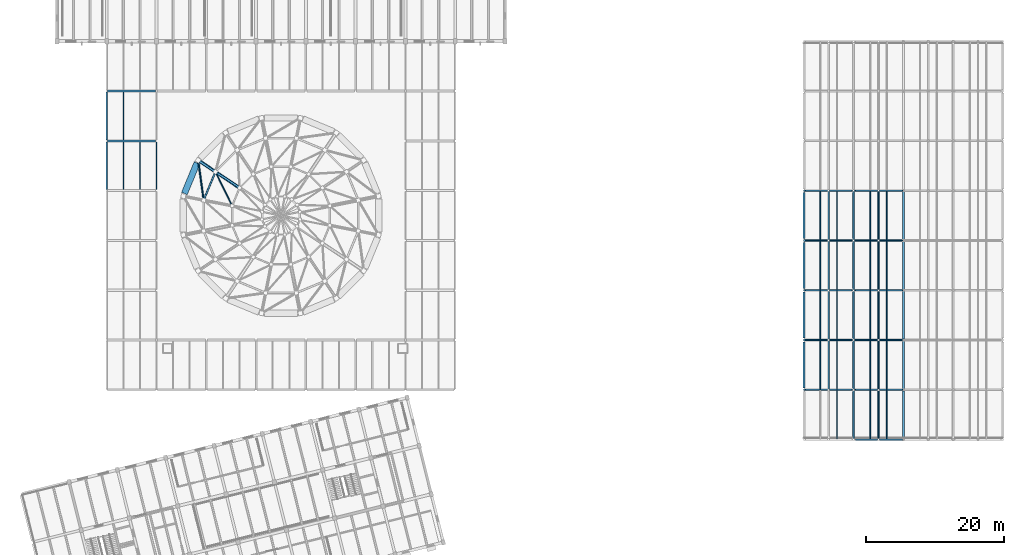
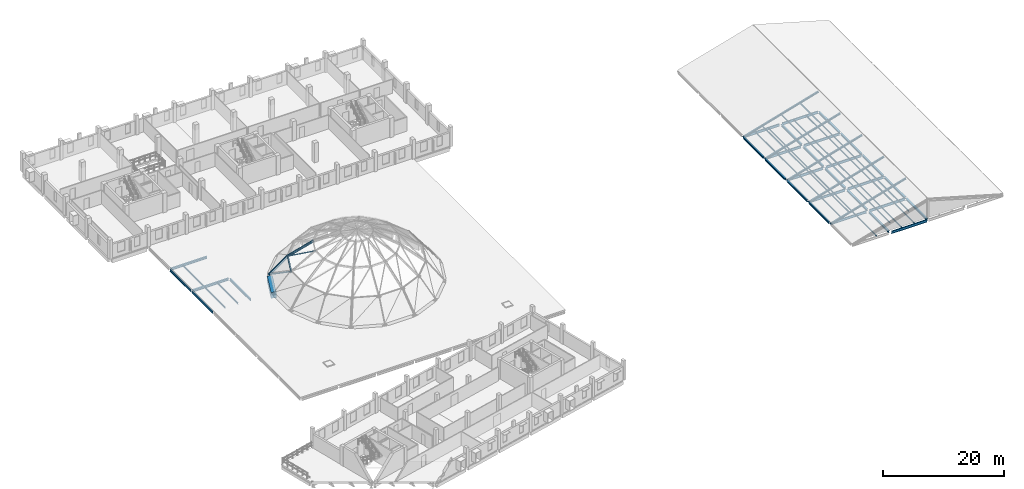
# One storey, part 9 of 32: 54 beams, 23 members.
"""IFC4 building model written with IfcOpenShell, lengths in metres."""

from ifc_helpers import new_model, si_unit, direction, frame, origin, origin_2d, place, context, subcontext, project, spatial, rectangle, hollow_rectangle, hollow_circle, i_section, extrude, material, material_profile, profile_set, type_object, element, save


model = new_model("IFC4")

# Units and contexts
model_context = context("Model", 3, precision=1e-05, world=origin(), true_north=direction((0.0, 1.0)))
body_context = subcontext(model_context, "Body", "Model", "MODEL_VIEW")
ifc_project = project(units=[si_unit("LENGTHUNIT", "METRE"), si_unit("AREAUNIT", "SQUARE_METRE"), si_unit("VOLUMEUNIT", "CUBIC_METRE"), si_unit("PLANEANGLEUNIT", "RADIAN"), si_unit("MASSUNIT", "GRAM", prefix="KILO")], contexts=[model_context])

# Site, building, storey
site_placement = place(None, origin())
site = spatial("IfcSite", under=ifc_project, at=site_placement, CompositionType="ELEMENT")
building_placement = place(site_placement, origin())
building = spatial("IfcBuilding", under=site, at=building_placement, Name="Qiaolan Assembly House", CompositionType="ELEMENT")
storey_placement = place(building_placement, frame((0.0, 0.0, 18.60009765625)))
storey = spatial("IfcBuildingStorey", under=building, at=storey_placement, Name="L04", CompositionType="ELEMENT", Elevation=18.60009765625)

# Beams
ifc_material_1 = material(Name="Steel Q355B", Category="steel")
ifc_material_profile_1 = material_profile(ifc_material_1, hollow_rectangle(XDim=0.25, YDim=0.39990234375, WallThickness=0.011962890625, InnerFilletRadius=0.011962890625, OuterFilletRadius=0.02392578125, at=origin_2d()), Name="RHS 400x250x12")
ifc_profile_set_1 = profile_set([ifc_material_profile_1], Name="Steel Q355B")
beam_type_1 = type_object("IfcBeamType", Name="BM-DOME-RING-RHS400", PredefinedType="BEAM", material=ifc_profile_set_1)
beam_1_placement = place(storey_placement, frame((58.951904296875, 67.607421875, 3.7998046875), z_axis=(-0.382680895379, -0.923880583361, 0.0), x_axis=(0.923880583361, -0.382680895379, 0.0)))
element("IfcBeam", 1, at=beam_1_placement, inside=storey, type_object=beam_type_1, Name="DB-01 dome circumferential steel ring T1-7", PredefinedType="BEAM", context=body_context, shape_type="SweptSolid", body=[
    extrude(hollow_rectangle(XDim=0.25, YDim=0.39990234375, WallThickness=0.011962890625, InnerFilletRadius=0.011962890625, OuterFilletRadius=0.02392578125, at=origin_2d()), origin(), (0.0, 0.0, 1.0), 4.608154296875),
])
ifc_material_2 = material(Name="Concrete C50/60", Category="concrete")
ifc_material_profile_2 = material_profile(ifc_material_2, rectangle(XDim=0.89990234375, YDim=1.199951171875, at=origin_2d()), Name="RCB 900x1200")
ifc_profile_set_2 = profile_set([ifc_material_profile_2], Name="Concrete C50/60")
beam_type_2 = type_object("IfcBeamType", Name="BM-RING-900x1200", PredefinedType="BEAM", material=ifc_profile_set_2)
beam_2_placement = place(storey_placement, frame((56.26806640625, 68.81689453125, -0.60009765625), z_axis=(-0.38268500057, -0.923878882938, 0.0), x_axis=(0.923878882938, -0.38268500057, 0.0)))
element("IfcBeam", 2, at=beam_2_placement, inside=storey, type_object=beam_type_2, Name="RB-01 beam BM-DOME-THRUST-RING-06", PredefinedType="BEAM", context=body_context, shape_type="SweptSolid", body=[
    extrude(rectangle(XDim=0.89990234375, YDim=1.199951171875, at=origin_2d()), origin(), (0.0, 0.0, 1.0), 4.78857421875),
])
ifc_material_profile_3 = material_profile(ifc_material_1, i_section(OverallWidth=0.300048828125, OverallDepth=0.389892578125, WebThickness=0.010009765625, FlangeThickness=0.01611328125, FilletRadius=0.01806640625, at=origin_2d()), Name="HM 390x300x10x16")
ifc_profile_set_3 = profile_set([ifc_material_profile_3], Name="Steel Q355B")
beam_type_3 = type_object("IfcBeamType", Name="BM-STL-HM390", PredefinedType="BEAM", material=ifc_profile_set_3)
beam_3_placement = place(storey_placement, frame((144.0, 36.264892578125, -0.295166015625), z_axis=(0.0, 1.0, 0.0), x_axis=(-1.0, 0.0, 0.0)))
element("IfcBeam", 3, at=beam_3_placement, inside=storey, type_object=beam_type_3, Name="SB-08 beam BMY-LBTIE-L04-00-01", PredefinedType="BEAM", context=body_context, shape_type="SweptSolid", body=[
    extrude(i_section(OverallWidth=0.300048828125, OverallDepth=0.389892578125, WebThickness=0.010009765625, FlangeThickness=0.01611328125, FilletRadius=0.01806640625, at=origin_2d()), origin(), (0.0, 0.0, 1.0), 6.670166015625),
])
for number, where, z_axis, x_axis, name in (
    (4, (144.0, 43.465087890625, -0.295166015625), (0.0, 1.0, 0.0), (-1.0, 0.0, 0.0), "SB-08 beam BMY-LBTIE-L04-00-02"),
    (5, (144.0, 50.6650390625, -0.295166015625), (0.0, 1.0, 0.0), (-1.0, 0.0, 0.0), "SB-08 beam BMY-LBTIE-L04-00-03"),
    (6, (144.0, 57.864990234375, -0.295166015625), (0.0, 1.0, 0.0), (-1.0, 0.0, 0.0), "SB-08 beam BMY-LBTIE-L04-00-04"),
):
    element("IfcBeam", number, at=place(storey_placement, frame(where, z_axis=z_axis, x_axis=x_axis)), inside=storey, type_object=beam_type_3, Name=name, PredefinedType="BEAM", context=body_context, shape_type="SweptSolid", body=[
        extrude(i_section(OverallWidth=0.300048828125, OverallDepth=0.389892578125, WebThickness=0.010009765625, FlangeThickness=0.01611328125, FilletRadius=0.01806640625, at=origin_2d()), origin(), (0.0, 0.0, 1.0), 6.669921875),
    ])
for number, where, z_axis, x_axis, name in (
    (7, (151.199951171875, 29.06494140625, -0.295166015625), (0.0, 1.0, 0.0), (-1.0, 0.0, 0.0), "SB-08 beam BMY-LBTIE-L04-01-00"),
    (8, (151.199951171875, 36.264892578125, -0.295166015625), (0.0, 1.0, 0.0), (-1.0, 0.0, 0.0), "SB-08 beam BMY-LBTIE-L04-01-01"),
):
    element("IfcBeam", number, at=place(storey_placement, frame(where, z_axis=z_axis, x_axis=x_axis)), inside=storey, type_object=beam_type_3, Name=name, PredefinedType="BEAM", context=body_context, shape_type="SweptSolid", body=[
        extrude(i_section(OverallWidth=0.300048828125, OverallDepth=0.389892578125, WebThickness=0.010009765625, FlangeThickness=0.01611328125, FilletRadius=0.01806640625, at=origin_2d()), origin(), (0.0, 0.0, 1.0), 6.670166015625),
    ])
for number, where, z_axis, x_axis, name in (
    (9, (151.199951171875, 43.465087890625, -0.295166015625), (0.0, 1.0, 0.0), (-1.0, 0.0, 0.0), "SB-08 beam BMY-LBTIE-L04-01-02"),
    (10, (151.199951171875, 50.6650390625, -0.295166015625), (0.0, 1.0, 0.0), (-1.0, 0.0, 0.0), "SB-08 beam BMY-LBTIE-L04-01-03"),
    (11, (151.199951171875, 57.864990234375, -0.295166015625), (0.0, 1.0, 0.0), (-1.0, 0.0, 0.0), "SB-08 beam BMY-LBTIE-L04-01-04"),
):
    element("IfcBeam", number, at=place(storey_placement, frame(where, z_axis=z_axis, x_axis=x_axis)), inside=storey, type_object=beam_type_3, Name=name, PredefinedType="BEAM", context=body_context, shape_type="SweptSolid", body=[
        extrude(i_section(OverallWidth=0.300048828125, OverallDepth=0.389892578125, WebThickness=0.010009765625, FlangeThickness=0.01611328125, FilletRadius=0.01806640625, at=origin_2d()), origin(), (0.0, 0.0, 1.0), 6.669921875),
    ])
for number, where, z_axis, x_axis, name in (
    (12, (158.39990234375, 28.93994140625, -0.295166015625), (0.0, 1.0, 0.0), (-1.0, 0.0, 0.0), "SB-08 beam BMY-LBTIE-L04-02-00"),
    (13, (158.39990234375, 36.139892578125, -0.295166015625), (0.0, 1.0, 0.0), (-1.0, 0.0, 0.0), "SB-08 beam BMY-LBTIE-L04-02-01"),
):
    element("IfcBeam", number, at=place(storey_placement, frame(where, z_axis=z_axis, x_axis=x_axis)), inside=storey, type_object=beam_type_3, Name=name, PredefinedType="BEAM", context=body_context, shape_type="SweptSolid", body=[
        extrude(i_section(OverallWidth=0.300048828125, OverallDepth=0.389892578125, WebThickness=0.010009765625, FlangeThickness=0.01611328125, FilletRadius=0.01806640625, at=origin_2d()), origin(), (0.0, 0.0, 1.0), 6.920166015625),
    ])
for number, where, z_axis, x_axis, name in (
    (14, (158.39990234375, 43.340087890625, -0.295166015625), (0.0, 1.0, 0.0), (-1.0, 0.0, 0.0), "SB-08 beam BMY-LBTIE-L04-02-02"),
    (15, (158.39990234375, 50.5400390625, -0.295166015625), (0.0, 1.0, 0.0), (-1.0, 0.0, 0.0), "SB-08 beam BMY-LBTIE-L04-02-03"),
    (16, (158.39990234375, 57.739990234375, -0.295166015625), (0.0, 1.0, 0.0), (-1.0, 0.0, 0.0), "SB-08 beam BMY-LBTIE-L04-02-04"),
):
    element("IfcBeam", number, at=place(storey_placement, frame(where, z_axis=z_axis, x_axis=x_axis)), inside=storey, type_object=beam_type_3, Name=name, PredefinedType="BEAM", context=body_context, shape_type="SweptSolid", body=[
        extrude(i_section(OverallWidth=0.300048828125, OverallDepth=0.389892578125, WebThickness=0.010009765625, FlangeThickness=0.01611328125, FilletRadius=0.01806640625, at=origin_2d()), origin(), (0.0, 0.0, 1.0), 6.919921875),
    ])
ifc_material_profile_4 = material_profile(ifc_material_1, i_section(OverallWidth=0.300048828125, OverallDepth=0.43994140625, WebThickness=0.010986328125, FlangeThickness=0.01806640625, FilletRadius=0.02001953125, at=origin_2d()), Name="HM 440x300x11x18")
ifc_profile_set_4 = profile_set([ifc_material_profile_4], Name="Steel Q355B")
beam_type_4 = type_object("IfcBeamType", Name="BM-STL-HM440", PredefinedType="BEAM", material=ifc_profile_set_4)
for number, where, z_axis, x_axis, name in (
    (17, (43.344970703125, 72.0, -0.465087890625), (1.0, 0.0, 0.0), (0.0, 1.0, 0.0), "SB-06 beam BMX-HLCR-L04-00-05"),
    (18, (43.344970703125, 79.199951171875, -0.465087890625), (1.0, 0.0, 0.0), (0.0, 1.0, 0.0), "SB-06 beam BMX-HLCR-L04-00-06"),
):
    element("IfcBeam", number, at=place(storey_placement, frame(where, z_axis=z_axis, x_axis=x_axis)), inside=storey, type_object=beam_type_4, Name=name, PredefinedType="BEAM", context=body_context, shape_type="SweptSolid", body=[
        extrude(i_section(OverallWidth=0.300048828125, OverallDepth=0.43994140625, WebThickness=0.010986328125, FlangeThickness=0.01806640625, FilletRadius=0.02001953125, at=origin_2d()), origin(), (0.0, 0.0, 1.0), 6.909912109375),
    ])
ifc_material_profile_5 = material_profile(ifc_material_1, i_section(OverallWidth=0.199951171875, OverallDepth=0.449951171875, WebThickness=0.009033203125, FlangeThickness=0.013916015625, FilletRadius=0.01611328125, at=origin_2d()), Name="HN 450x200x9x14")
ifc_profile_set_5 = profile_set([ifc_material_profile_5], Name="Steel Q355B")
beam_type_5 = type_object("IfcBeamType", Name="BM-STL-HN450", PredefinedType="BEAM", material=ifc_profile_set_5)
for number, where, z_axis, x_axis, name in (
    (19, (43.199951171875, 64.945068359375, -0.47021484375), (0.0, 1.0, 0.0), (-1.0, 0.0, 0.0), "SB-07 beam BMY-HLCR-L04-00-04"),
    (20, (43.199951171875, 72.14501953125, -0.47021484375), (0.0, 1.0, 0.0), (-1.0, 0.0, 0.0), "SB-07 beam BMY-HLCR-L04-00-05"),
    (21, (50.39990234375, 64.945068359375, -0.47021484375), (0.0, 1.0, 0.0), (-1.0, 0.0, 0.0), "SB-07 beam BMY-HLCR-L04-01-04"),
):
    element("IfcBeam", number, at=place(storey_placement, frame(where, z_axis=z_axis, x_axis=x_axis)), inside=storey, type_object=beam_type_5, Name=name, PredefinedType="BEAM", context=body_context, shape_type="SweptSolid", body=[
        extrude(i_section(OverallWidth=0.199951171875, OverallDepth=0.449951171875, WebThickness=0.009033203125, FlangeThickness=0.013916015625, FilletRadius=0.01611328125, at=origin_2d()), origin(), (0.0, 0.0, 1.0), 6.909912109375),
    ])
ifc_material_profile_6 = material_profile(ifc_material_1, i_section(OverallWidth=0.199951171875, OverallDepth=0.5, WebThickness=0.010009765625, FlangeThickness=0.01611328125, FilletRadius=0.01806640625, at=origin_2d()), Name="HN 500x200x10x16")
ifc_profile_set_6 = profile_set([ifc_material_profile_6], Name="Steel Q355B")
beam_type_6 = type_object("IfcBeamType", Name="BM-STL-HN500", PredefinedType="BEAM", material=ifc_profile_set_6)
beam_4_placement = place(storey_placement, frame((151.465087890625, 28.800048828125, -0.35009765625), z_axis=(1.0, 0.0, 0.0), x_axis=(0.0, 1.0, 0.0)))
element("IfcBeam", 22, at=beam_4_placement, inside=storey, type_object=beam_type_6, Name="SB-05 beam BMX-LBTIE-L04-01-00", PredefinedType="BEAM", context=body_context, shape_type="SweptSolid", body=[
    extrude(i_section(OverallWidth=0.199951171875, OverallDepth=0.5, WebThickness=0.010009765625, FlangeThickness=0.01611328125, FilletRadius=0.01806640625, at=origin_2d()), origin(), (0.0, 0.0, 1.0), 6.794921875),
])
beam_5_placement = place(storey_placement, frame((144.264892578125, 36.0, -0.35009765625), z_axis=(1.0, 0.0, 0.0), x_axis=(0.0, 1.0, 0.0)))
element("IfcBeam", 23, at=beam_5_placement, inside=storey, type_object=beam_type_6, Name="SB-05 beam BMX-LBTIE-L04-00-01", PredefinedType="BEAM", context=body_context, shape_type="SweptSolid", body=[
    extrude(i_section(OverallWidth=0.199951171875, OverallDepth=0.5, WebThickness=0.010009765625, FlangeThickness=0.01611328125, FilletRadius=0.01806640625, at=origin_2d()), origin(), (0.0, 0.0, 1.0), 6.670166015625),
])
beam_6_placement = place(storey_placement, frame((151.465087890625, 36.0, -0.35009765625), z_axis=(1.0, 0.0, 0.0), x_axis=(0.0, 1.0, 0.0)))
element("IfcBeam", 24, at=beam_6_placement, inside=storey, type_object=beam_type_6, Name="SB-05 beam BMX-LBTIE-L04-01-01", PredefinedType="BEAM", context=body_context, shape_type="SweptSolid", body=[
    extrude(i_section(OverallWidth=0.199951171875, OverallDepth=0.5, WebThickness=0.010009765625, FlangeThickness=0.01611328125, FilletRadius=0.01806640625, at=origin_2d()), origin(), (0.0, 0.0, 1.0), 6.794921875),
])
beam_7_placement = place(storey_placement, frame((144.264892578125, 43.199951171875, -0.35009765625), z_axis=(1.0, 0.0, 0.0), x_axis=(0.0, 1.0, 0.0)))
element("IfcBeam", 25, at=beam_7_placement, inside=storey, type_object=beam_type_6, Name="SB-05 beam BMX-LBTIE-L04-00-02", PredefinedType="BEAM", context=body_context, shape_type="SweptSolid", body=[
    extrude(i_section(OverallWidth=0.199951171875, OverallDepth=0.5, WebThickness=0.010009765625, FlangeThickness=0.01611328125, FilletRadius=0.01806640625, at=origin_2d()), origin(), (0.0, 0.0, 1.0), 6.670166015625),
])
beam_8_placement = place(storey_placement, frame((151.465087890625, 43.199951171875, -0.35009765625), z_axis=(1.0, 0.0, 0.0), x_axis=(0.0, 1.0, 0.0)))
element("IfcBeam", 26, at=beam_8_placement, inside=storey, type_object=beam_type_6, Name="SB-05 beam BMX-LBTIE-L04-01-02", PredefinedType="BEAM", context=body_context, shape_type="SweptSolid", body=[
    extrude(i_section(OverallWidth=0.199951171875, OverallDepth=0.5, WebThickness=0.010009765625, FlangeThickness=0.01611328125, FilletRadius=0.01806640625, at=origin_2d()), origin(), (0.0, 0.0, 1.0), 6.794921875),
])
beam_9_placement = place(storey_placement, frame((144.264892578125, 50.39990234375, -0.35009765625), z_axis=(1.0, 0.0, 0.0), x_axis=(0.0, 1.0, 0.0)))
element("IfcBeam", 27, at=beam_9_placement, inside=storey, type_object=beam_type_6, Name="SB-05 beam BMX-LBTIE-L04-00-03", PredefinedType="BEAM", context=body_context, shape_type="SweptSolid", body=[
    extrude(i_section(OverallWidth=0.199951171875, OverallDepth=0.5, WebThickness=0.010009765625, FlangeThickness=0.01611328125, FilletRadius=0.01806640625, at=origin_2d()), origin(), (0.0, 0.0, 1.0), 6.670166015625),
])
beam_10_placement = place(storey_placement, frame((151.465087890625, 50.39990234375, -0.35009765625), z_axis=(1.0, 0.0, 0.0), x_axis=(0.0, 1.0, 0.0)))
element("IfcBeam", 28, at=beam_10_placement, inside=storey, type_object=beam_type_6, Name="SB-05 beam BMX-LBTIE-L04-01-03", PredefinedType="BEAM", context=body_context, shape_type="SweptSolid", body=[
    extrude(i_section(OverallWidth=0.199951171875, OverallDepth=0.5, WebThickness=0.010009765625, FlangeThickness=0.01611328125, FilletRadius=0.01806640625, at=origin_2d()), origin(), (0.0, 0.0, 1.0), 6.794921875),
])
beam_11_placement = place(storey_placement, frame((144.264892578125, 57.60009765625, -0.35009765625), z_axis=(1.0, 0.0, 0.0), x_axis=(0.0, 1.0, 0.0)))
element("IfcBeam", 29, at=beam_11_placement, inside=storey, type_object=beam_type_6, Name="SB-05 beam BMX-LBTIE-L04-00-04", PredefinedType="BEAM", context=body_context, shape_type="SweptSolid", body=[
    extrude(i_section(OverallWidth=0.199951171875, OverallDepth=0.5, WebThickness=0.010009765625, FlangeThickness=0.01611328125, FilletRadius=0.01806640625, at=origin_2d()), origin(), (0.0, 0.0, 1.0), 6.670166015625),
])
beam_12_placement = place(storey_placement, frame((151.465087890625, 57.60009765625, -0.35009765625), z_axis=(1.0, 0.0, 0.0), x_axis=(0.0, 1.0, 0.0)))
element("IfcBeam", 30, at=beam_12_placement, inside=storey, type_object=beam_type_6, Name="SB-05 beam BMX-LBTIE-L04-01-04", PredefinedType="BEAM", context=body_context, shape_type="SweptSolid", body=[
    extrude(i_section(OverallWidth=0.199951171875, OverallDepth=0.5, WebThickness=0.010009765625, FlangeThickness=0.01611328125, FilletRadius=0.01806640625, at=origin_2d()), origin(), (0.0, 0.0, 1.0), 6.794921875),
])
beam_13_placement = place(storey_placement, frame((144.264892578125, 64.800048828125, -0.35009765625), z_axis=(1.0, 0.0, 0.0), x_axis=(0.0, 1.0, 0.0)))
element("IfcBeam", 31, at=beam_13_placement, inside=storey, type_object=beam_type_6, Name="SB-05 beam BMX-LBTIE-L04-00-05", PredefinedType="BEAM", context=body_context, shape_type="SweptSolid", body=[
    extrude(i_section(OverallWidth=0.199951171875, OverallDepth=0.5, WebThickness=0.010009765625, FlangeThickness=0.01611328125, FilletRadius=0.01806640625, at=origin_2d()), origin(), (0.0, 0.0, 1.0), 6.670166015625),
])
beam_14_placement = place(storey_placement, frame((151.465087890625, 64.800048828125, -0.35009765625), z_axis=(1.0, 0.0, 0.0), x_axis=(0.0, 1.0, 0.0)))
element("IfcBeam", 32, at=beam_14_placement, inside=storey, type_object=beam_type_6, Name="SB-05 beam BMX-LBTIE-L04-01-05", PredefinedType="BEAM", context=body_context, shape_type="SweptSolid", body=[
    extrude(i_section(OverallWidth=0.199951171875, OverallDepth=0.5, WebThickness=0.010009765625, FlangeThickness=0.01611328125, FilletRadius=0.01806640625, at=origin_2d()), origin(), (0.0, 0.0, 1.0), 6.794921875),
])
ifc_material_profile_7 = material_profile(ifc_material_1, i_section(OverallWidth=0.125, OverallDepth=0.25, WebThickness=0.006103515625, FlangeThickness=0.009033203125, FilletRadius=0.011962890625, at=origin_2d()), Name="HN 250x125x6x9")
ifc_profile_set_7 = profile_set([ifc_material_profile_7], Name="Steel Q355B")
beam_type_7 = type_object("IfcBeamType", Name="JST-STL-HN250", PredefinedType="JOIST", material=ifc_profile_set_7)
for number, where, z_axis, x_axis, name in (
    (33, (148.800048828125, 28.89404296875, -0.22509765625), (0.0, 1.0, 0.0), (-1.0, 0.0, 0.0), "SJ-03 beam JST-LBTIE-L04-00-00-2"),
    (34, (146.39990234375, 36.093994140625, -0.22509765625), (0.0, 1.0, 0.0), (-1.0, 0.0, 0.0), "SJ-03 beam JST-LBTIE-L04-00-01-1"),
    (35, (148.800048828125, 36.093994140625, -0.22509765625), (0.0, 1.0, 0.0), (-1.0, 0.0, 0.0), "SJ-03 beam JST-LBTIE-L04-00-01-2"),
    (36, (146.39990234375, 43.2939453125, -0.22509765625), (0.0, 1.0, 0.0), (-1.0, 0.0, 0.0), "SJ-03 beam JST-LBTIE-L04-00-02-1"),
    (37, (148.800048828125, 43.2939453125, -0.22509765625), (0.0, 1.0, 0.0), (-1.0, 0.0, 0.0), "SJ-03 beam JST-LBTIE-L04-00-02-2"),
):
    element("IfcBeam", number, at=place(storey_placement, frame(where, z_axis=z_axis, x_axis=x_axis)), inside=storey, type_object=beam_type_7, Name=name, PredefinedType="JOIST", context=body_context, shape_type="SweptSolid", body=[
        extrude(i_section(OverallWidth=0.125, OverallDepth=0.25, WebThickness=0.006103515625, FlangeThickness=0.009033203125, FilletRadius=0.011962890625, at=origin_2d()), origin(), (0.0, 0.0, 1.0), 7.011962890625),
    ])
for number, where, z_axis, x_axis, name in (
    (38, (146.39990234375, 50.493896484375, -0.22509765625), (0.0, 1.0, 0.0), (-1.0, 0.0, 0.0), "SJ-03 beam JST-LBTIE-L04-00-03-1"),
    (39, (148.800048828125, 50.493896484375, -0.22509765625), (0.0, 1.0, 0.0), (-1.0, 0.0, 0.0), "SJ-03 beam JST-LBTIE-L04-00-03-2"),
):
    element("IfcBeam", number, at=place(storey_placement, frame(where, z_axis=z_axis, x_axis=x_axis)), inside=storey, type_object=beam_type_7, Name=name, PredefinedType="JOIST", context=body_context, shape_type="SweptSolid", body=[
        extrude(i_section(OverallWidth=0.125, OverallDepth=0.25, WebThickness=0.006103515625, FlangeThickness=0.009033203125, FilletRadius=0.011962890625, at=origin_2d()), origin(), (0.0, 0.0, 1.0), 7.01220703125),
    ])
for number, where, z_axis, x_axis, name in (
    (40, (146.39990234375, 57.694091796875, -0.22509765625), (0.0, 1.0, 0.0), (-1.0, 0.0, 0.0), "SJ-03 beam JST-LBTIE-L04-00-04-1"),
    (41, (148.800048828125, 57.694091796875, -0.22509765625), (0.0, 1.0, 0.0), (-1.0, 0.0, 0.0), "SJ-03 beam JST-LBTIE-L04-00-04-2"),
    (42, (153.60009765625, 28.89404296875, -0.22509765625), (0.0, 1.0, 0.0), (-1.0, 0.0, 0.0), "SJ-03 beam JST-LBTIE-L04-01-00-1"),
    (43, (156.0, 28.89404296875, -0.22509765625), (0.0, 1.0, 0.0), (-1.0, 0.0, 0.0), "SJ-03 beam JST-LBTIE-L04-01-00-2"),
    (44, (153.60009765625, 36.093994140625, -0.22509765625), (0.0, 1.0, 0.0), (-1.0, 0.0, 0.0), "SJ-03 beam JST-LBTIE-L04-01-01-1"),
    (45, (156.0, 36.093994140625, -0.22509765625), (0.0, 1.0, 0.0), (-1.0, 0.0, 0.0), "SJ-03 beam JST-LBTIE-L04-01-01-2"),
    (46, (153.60009765625, 43.2939453125, -0.22509765625), (0.0, 1.0, 0.0), (-1.0, 0.0, 0.0), "SJ-03 beam JST-LBTIE-L04-01-02-1"),
    (47, (156.0, 43.2939453125, -0.22509765625), (0.0, 1.0, 0.0), (-1.0, 0.0, 0.0), "SJ-03 beam JST-LBTIE-L04-01-02-2"),
):
    element("IfcBeam", number, at=place(storey_placement, frame(where, z_axis=z_axis, x_axis=x_axis)), inside=storey, type_object=beam_type_7, Name=name, PredefinedType="JOIST", context=body_context, shape_type="SweptSolid", body=[
        extrude(i_section(OverallWidth=0.125, OverallDepth=0.25, WebThickness=0.006103515625, FlangeThickness=0.009033203125, FilletRadius=0.011962890625, at=origin_2d()), origin(), (0.0, 0.0, 1.0), 7.011962890625),
    ])
for number, where, z_axis, x_axis, name in (
    (48, (153.60009765625, 50.493896484375, -0.22509765625), (0.0, 1.0, 0.0), (-1.0, 0.0, 0.0), "SJ-03 beam JST-LBTIE-L04-01-03-1"),
    (49, (156.0, 50.493896484375, -0.22509765625), (0.0, 1.0, 0.0), (-1.0, 0.0, 0.0), "SJ-03 beam JST-LBTIE-L04-01-03-2"),
):
    element("IfcBeam", number, at=place(storey_placement, frame(where, z_axis=z_axis, x_axis=x_axis)), inside=storey, type_object=beam_type_7, Name=name, PredefinedType="JOIST", context=body_context, shape_type="SweptSolid", body=[
        extrude(i_section(OverallWidth=0.125, OverallDepth=0.25, WebThickness=0.006103515625, FlangeThickness=0.009033203125, FilletRadius=0.011962890625, at=origin_2d()), origin(), (0.0, 0.0, 1.0), 7.01220703125),
    ])
for number, where, z_axis, x_axis, name in (
    (50, (153.60009765625, 57.694091796875, -0.22509765625), (0.0, 1.0, 0.0), (-1.0, 0.0, 0.0), "SJ-03 beam JST-LBTIE-L04-01-04-1"),
    (51, (156.0, 57.694091796875, -0.22509765625), (0.0, 1.0, 0.0), (-1.0, 0.0, 0.0), "SJ-03 beam JST-LBTIE-L04-01-04-2"),
):
    element("IfcBeam", number, at=place(storey_placement, frame(where, z_axis=z_axis, x_axis=x_axis)), inside=storey, type_object=beam_type_7, Name=name, PredefinedType="JOIST", context=body_context, shape_type="SweptSolid", body=[
        extrude(i_section(OverallWidth=0.125, OverallDepth=0.25, WebThickness=0.006103515625, FlangeThickness=0.009033203125, FilletRadius=0.011962890625, at=origin_2d()), origin(), (0.0, 0.0, 1.0), 7.011962890625),
    ])
ifc_material_profile_8 = material_profile(ifc_material_1, i_section(OverallWidth=0.14990234375, OverallDepth=0.300048828125, WebThickness=0.006591796875, FlangeThickness=0.009033203125, FilletRadius=0.012939453125, at=origin_2d()), Name="HN 300x150x6.5x9")
ifc_profile_set_8 = profile_set([ifc_material_profile_8], Name="Steel Q355B")
beam_type_8 = type_object("IfcBeamType", Name="JST-STL-HN300", PredefinedType="JOIST", material=ifc_profile_set_8)
for number, where, z_axis, x_axis, name in (
    (52, (45.60009765625, 64.944091796875, -0.39501953125), (0.0, 1.0, 0.0), (-1.0, 0.0, 0.0), "SJ-02 beam JST-HLCR-L04-00-04-1"),
    (53, (48.0, 64.944091796875, -0.39501953125), (0.0, 1.0, 0.0), (-1.0, 0.0, 0.0), "SJ-02 beam JST-HLCR-L04-00-04-2"),
    (54, (45.60009765625, 72.14404296875, -0.39501953125), (0.0, 1.0, 0.0), (-1.0, 0.0, 0.0), "SJ-02 beam JST-HLCR-L04-00-05-1"),
):
    element("IfcBeam", number, at=place(storey_placement, frame(where, z_axis=z_axis, x_axis=x_axis)), inside=storey, type_object=beam_type_8, Name=name, PredefinedType="JOIST", context=body_context, shape_type="SweptSolid", body=[
        extrude(i_section(OverallWidth=0.14990234375, OverallDepth=0.300048828125, WebThickness=0.006591796875, FlangeThickness=0.009033203125, FilletRadius=0.012939453125, at=origin_2d()), origin(), (0.0, 0.0, 1.0), 6.911865234375),
    ])

# Members
ifc_material_profile_9 = material_profile(ifc_material_1, hollow_circle(Radius=0.109619140625, WallThickness=0.008056640625, at=origin_2d()), Name="CHS 219.1x8")
ifc_profile_set_9 = profile_set([ifc_material_profile_9], Name="Steel Q355B")
member_type_1 = type_object("IfcMemberType", Name="MBR-BRACE-DOME-CHS219", PredefinedType="BRACE", material=ifc_profile_set_9)
member_1_placement = place(storey_placement, frame((58.890869140625, 67.595458984375, 3.759521484375), z_axis=(0.38039583961, -0.775670216002, 0.503621605191), x_axis=(0.897845069356, 0.440311516353, 0.0)))
element("IfcMember", 55, at=member_1_placement, inside=storey, type_object=member_type_1, Name="BR-02 dome wind-uplift brace T1-7", PredefinedType="BRACE", context=body_context, shape_type="SweptSolid", body=[
    extrude(hollow_circle(Radius=0.109619140625, WallThickness=0.008056640625, at=origin_2d()), origin(), (0.0, 0.0, 1.0), 6.514404296875),
])
ifc_material_profile_10 = material_profile(ifc_material_1, hollow_circle(Radius=0.136474609375, WallThickness=0.010009765625, at=origin_2d()), Name="CHS 273x10")
ifc_profile_set_10 = profile_set([ifc_material_profile_10], Name="Steel Q355B")
member_type_2 = type_object("IfcMemberType", Name="MBR-BRACE-DOME-CHS273", PredefinedType="BRACE", material=ifc_profile_set_10)
member_2_placement = place(storey_placement, frame((56.417724609375, 69.2666015625, -0.043701171875), z_axis=(0.113853785728, -0.830000956617, 0.546018065168), x_axis=(0.990722497257, 0.135900454113, 0.0)))
element("IfcMember", 56, at=member_2_placement, inside=storey, type_object=member_type_2, Name="BR-01 dome wind-uplift brace T0-7", PredefinedType="BRACE", context=body_context, shape_type="SweptSolid", body=[
    extrude(hollow_circle(Radius=0.136474609375, WallThickness=0.010009765625, at=origin_2d()), origin(), (0.0, 0.0, 1.0), 7.119140625),
])
ifc_material_profile_11 = material_profile(ifc_material_1, hollow_circle(Radius=0.228515625, WallThickness=0.01611328125, at=origin_2d()), Name="CHS 457x16")
ifc_profile_set_11 = profile_set([ifc_material_profile_11], Name="Steel Q355B")
member_type_3 = type_object("IfcMemberType", Name="MBR-DOME-RIB-CHS457", PredefinedType="CHORD", material=ifc_profile_set_11)
member_3_placement = place(storey_placement, frame((56.354736328125, 69.248291015625, -0.10986328125), z_axis=(0.515204533946, -0.344254451713, 0.784890540571), x_axis=(0.555576690788, 0.831465297323, 0.0)))
element("IfcMember", 57, at=member_3_placement, inside=storey, type_object=member_type_3, Name="DR-01 primary dome radial rib bay 4", PredefinedType="CHORD", context=body_context, shape_type="SweptSolid", body=[
    extrude(hollow_circle(Radius=0.228515625, WallThickness=0.01611328125, at=origin_2d()), origin(), (0.0, 0.0, 1.0), 5.081298828125),
])
member_4_placement = place(storey_placement, frame((58.855224609375, 67.57763671875, 3.7392578125), z_axis=(0.661360796883, -0.441902172064, 0.606072905409), x_axis=(0.555565900771, 0.831472507002, 0.0)))
element("IfcMember", 58, at=member_4_placement, inside=storey, type_object=member_type_3, Name="DR-01 primary dome radial rib bay 4", PredefinedType="CHORD", context=body_context, shape_type="SweptSolid", body=[
    extrude(hollow_circle(Radius=0.228515625, WallThickness=0.01611328125, at=origin_2d()), origin(), (0.0, 0.0, 1.0), 5.47998046875),
])
ifc_material_profile_12 = material_profile(ifc_material_1, i_section(OverallWidth=0.25, OverallDepth=0.340087890625, WebThickness=0.009033203125, FlangeThickness=0.013916015625, FilletRadius=0.01611328125, at=origin_2d()), Name="HM 340x250x9x14-RF")
ifc_profile_set_12 = profile_set([ifc_material_profile_12], Name="Steel Q355B")
member_type_4 = type_object("IfcMemberType", Name="MBR-HIP-RAFTER-HM340", PredefinedType="RAFTER", material=ifc_profile_set_12)
for number, where, z_axis, x_axis, name in (
    (59, (144.0, 36.0, -0.422119140625), (0.960375895513, 0.0, 0.278707982156), (0.0, 1.0, 0.0), "RF-01 library pitched rafter W-36"),
    (60, (144.0, 43.199951171875, -0.422119140625), (0.960375895513, 0.0, 0.278707982156), (0.0, 1.0, 0.0), "RF-01 library pitched rafter W-43"),
    (61, (144.0, 50.39990234375, -0.422119140625), (0.960375895513, 0.0, 0.278707982156), (0.0, 1.0, 0.0), "RF-01 library pitched rafter W-50"),
    (62, (144.0, 57.60009765625, -0.422119140625), (0.960375895513, 0.0, 0.278707982156), (0.0, 1.0, 0.0), "RF-01 library pitched rafter W-57"),
    (63, (144.0, 64.800048828125, -0.422119140625), (0.960375895513, 0.0, 0.278707982156), (0.0, 1.0, 0.0), "RF-01 library pitched rafter W-64"),
):
    element("IfcMember", number, at=place(storey_placement, frame(where, z_axis=z_axis, x_axis=x_axis)), inside=storey, type_object=member_type_4, Name=name, PredefinedType="RAFTER", context=body_context, shape_type="SweptSolid", body=[
        extrude(i_section(OverallWidth=0.25, OverallDepth=0.340087890625, WebThickness=0.009033203125, FlangeThickness=0.013916015625, FilletRadius=0.01611328125, at=origin_2d()), origin(), (0.0, 0.0, 1.0), 14.994140625),
    ])
ifc_material_profile_13 = material_profile(ifc_material_1, hollow_rectangle(XDim=0.14990234375, YDim=0.25, WallThickness=0.008056640625, InnerFilletRadius=0.008056640625, OuterFilletRadius=0.01611328125, at=origin_2d()), Name="RHS 250x150x8")
ifc_profile_set_13 = profile_set([ifc_material_profile_13], Name="Steel Q355B")
member_type_5 = type_object("IfcMemberType", Name="MBR-PURLIN-RHS250", PredefinedType="PURLIN", material=ifc_profile_set_13)
for number, where, z_axis, x_axis, name in (
    (64, (147.60009765625, 36.0, 0.7001953125), (0.0, 1.0, 0.0), (-1.0, 0.0, 0.0), "PR-01 library roof purlin W"),
    (65, (147.60009765625, 43.199951171875, 0.7001953125), (0.0, 1.0, 0.0), (-1.0, 0.0, 0.0), "PR-01 library roof purlin W"),
):
    element("IfcMember", number, at=place(storey_placement, frame(where, z_axis=z_axis, x_axis=x_axis)), inside=storey, type_object=member_type_5, Name=name, PredefinedType="PURLIN", context=body_context, shape_type="SweptSolid", body=[
        extrude(hollow_rectangle(XDim=0.14990234375, YDim=0.25, WallThickness=0.008056640625, InnerFilletRadius=0.008056640625, OuterFilletRadius=0.01611328125, at=origin_2d()), origin(), (0.0, 0.0, 1.0), 7.199951171875),
    ])
member_5_placement = place(storey_placement, frame((147.60009765625, 50.39990234375, 0.7001953125), z_axis=(0.0, 1.0, 0.0), x_axis=(-1.0, 0.0, 0.0)))
element("IfcMember", 66, at=member_5_placement, inside=storey, type_object=member_type_5, Name="PR-01 library roof purlin W", PredefinedType="PURLIN", context=body_context, shape_type="SweptSolid", body=[
    extrude(hollow_rectangle(XDim=0.14990234375, YDim=0.25, WallThickness=0.008056640625, InnerFilletRadius=0.008056640625, OuterFilletRadius=0.01611328125, at=origin_2d()), origin(), (0.0, 0.0, 1.0), 7.2001953125),
])
for number, where, z_axis, x_axis, name in (
    (67, (147.60009765625, 57.60009765625, 0.7001953125), (0.0, 1.0, 0.0), (-1.0, 0.0, 0.0), "PR-01 library roof purlin W"),
    (68, (151.199951171875, 28.800048828125, 1.732421875), (0.0, 1.0, 0.0), (-1.0, 0.0, 0.0), "PR-01 library roof purlin W"),
    (69, (151.199951171875, 36.0, 1.732421875), (0.0, 1.0, 0.0), (-1.0, 0.0, 0.0), "PR-01 library roof purlin W"),
    (70, (151.199951171875, 43.199951171875, 1.732421875), (0.0, 1.0, 0.0), (-1.0, 0.0, 0.0), "PR-01 library roof purlin W"),
):
    element("IfcMember", number, at=place(storey_placement, frame(where, z_axis=z_axis, x_axis=x_axis)), inside=storey, type_object=member_type_5, Name=name, PredefinedType="PURLIN", context=body_context, shape_type="SweptSolid", body=[
        extrude(hollow_rectangle(XDim=0.14990234375, YDim=0.25, WallThickness=0.008056640625, InnerFilletRadius=0.008056640625, OuterFilletRadius=0.01611328125, at=origin_2d()), origin(), (0.0, 0.0, 1.0), 7.199951171875),
    ])
member_6_placement = place(storey_placement, frame((151.199951171875, 50.39990234375, 1.732421875), z_axis=(0.0, 1.0, 0.0), x_axis=(-1.0, 0.0, 0.0)))
element("IfcMember", 71, at=member_6_placement, inside=storey, type_object=member_type_5, Name="PR-01 library roof purlin W", PredefinedType="PURLIN", context=body_context, shape_type="SweptSolid", body=[
    extrude(hollow_rectangle(XDim=0.14990234375, YDim=0.25, WallThickness=0.008056640625, InnerFilletRadius=0.008056640625, OuterFilletRadius=0.01611328125, at=origin_2d()), origin(), (0.0, 0.0, 1.0), 7.2001953125),
])
for number, where, z_axis, x_axis, name in (
    (72, (151.199951171875, 57.60009765625, 1.732421875), (0.0, 1.0, 0.0), (-1.0, 0.0, 0.0), "PR-01 library roof purlin W"),
    (73, (154.800048828125, 28.800048828125, 2.7646484375), (0.0, 1.0, 0.0), (-1.0, 0.0, 0.0), "PR-01 library roof purlin W"),
    (74, (154.800048828125, 36.0, 2.7646484375), (0.0, 1.0, 0.0), (-1.0, 0.0, 0.0), "PR-01 library roof purlin W"),
    (75, (154.800048828125, 43.199951171875, 2.7646484375), (0.0, 1.0, 0.0), (-1.0, 0.0, 0.0), "PR-01 library roof purlin W"),
):
    element("IfcMember", number, at=place(storey_placement, frame(where, z_axis=z_axis, x_axis=x_axis)), inside=storey, type_object=member_type_5, Name=name, PredefinedType="PURLIN", context=body_context, shape_type="SweptSolid", body=[
        extrude(hollow_rectangle(XDim=0.14990234375, YDim=0.25, WallThickness=0.008056640625, InnerFilletRadius=0.008056640625, OuterFilletRadius=0.01611328125, at=origin_2d()), origin(), (0.0, 0.0, 1.0), 7.199951171875),
    ])
member_7_placement = place(storey_placement, frame((154.800048828125, 50.39990234375, 2.7646484375), z_axis=(0.0, 1.0, 0.0), x_axis=(-1.0, 0.0, 0.0)))
element("IfcMember", 76, at=member_7_placement, inside=storey, type_object=member_type_5, Name="PR-01 library roof purlin W", PredefinedType="PURLIN", context=body_context, shape_type="SweptSolid", body=[
    extrude(hollow_rectangle(XDim=0.14990234375, YDim=0.25, WallThickness=0.008056640625, InnerFilletRadius=0.008056640625, OuterFilletRadius=0.01611328125, at=origin_2d()), origin(), (0.0, 0.0, 1.0), 7.2001953125),
])
member_8_placement = place(storey_placement, frame((154.800048828125, 57.60009765625, 2.7646484375), z_axis=(0.0, 1.0, 0.0), x_axis=(-1.0, 0.0, 0.0)))
element("IfcMember", 77, at=member_8_placement, inside=storey, type_object=member_type_5, Name="PR-01 library roof purlin W", PredefinedType="PURLIN", context=body_context, shape_type="SweptSolid", body=[
    extrude(hollow_rectangle(XDim=0.14990234375, YDim=0.25, WallThickness=0.008056640625, InnerFilletRadius=0.008056640625, OuterFilletRadius=0.01611328125, at=origin_2d()), origin(), (0.0, 0.0, 1.0), 7.199951171875),
])

save(model, "model.ifc")
